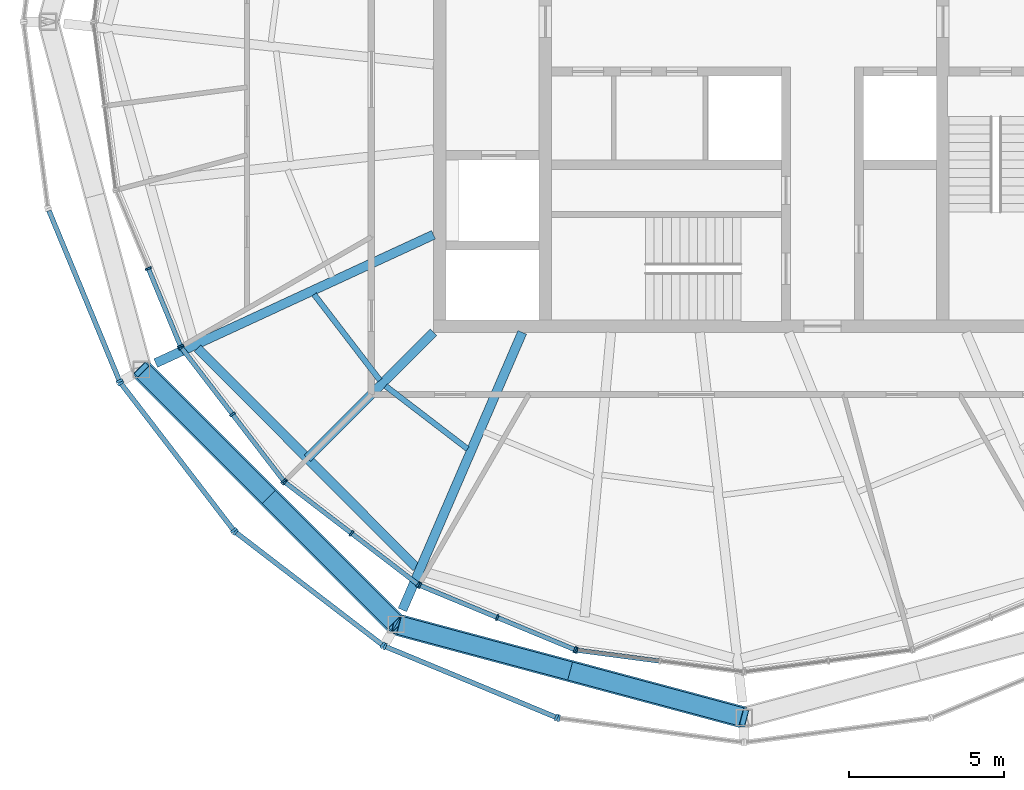
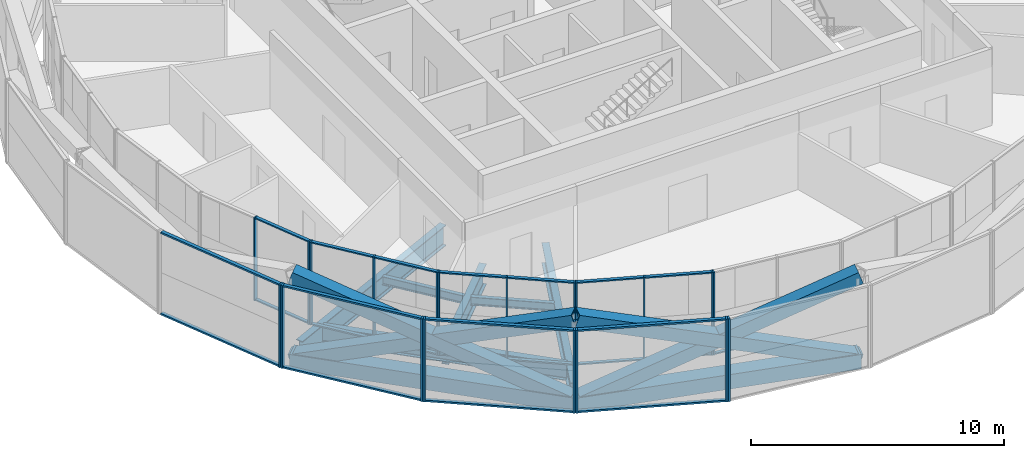
# One storey, part 2 of 17: 47 members, 8 beams, 10 elements without a shape of their own.
"""IFC4 building model written with IfcOpenShell, lengths in metres."""

import ifcopenshell
import ifcopenshell.guid

model = None  # the IFC model being written
_history = None  # IfcOwnerHistory: only IFC2X3 demands one
_inside = {}  # id of a spatial element -> (the spatial element, [elements in it])
_under = {}  # id of a project, library or spatial element -> (it, [spatial elements below it])
_declared = {}  # id of a project -> (the project, [libraries it declares])
_typed = {}  # id of a type object -> (the type object, [elements of that type])
_made_of = {}  # id of a material, layer set ... -> (it, [elements and type objects made of it])


def new_model(schema):
    """Start an empty IFC model of exactly this schema.

    Asked for "IFC4X3", IfcOpenShell would pick the latest addendum, in which some entities
    have other attributes; the version numbers below select the first issue.
    IFC2X3 requires an IfcOwnerHistory on every rooted entity: one is made here for all.
    """
    global model, _history
    if schema == "IFC4X3":
        model = ifcopenshell.file(schema_version=(4, 3, 0, 0))
    else:
        model = ifcopenshell.file(schema=schema)
    _inside.clear()
    _under.clear()
    _declared.clear()
    _typed.clear()
    _made_of.clear()
    _history = None
    if model.schema == "IFC2X3":
        org = make("IfcOrganization", Name="unknown")
        user = make(
            "IfcPersonAndOrganization",
            ThePerson=make("IfcPerson", FamilyName="unknown"),
            TheOrganization=org,
        )
        app = make(
            "IfcApplication",
            ApplicationDeveloper=org,
            Version="unknown",
            ApplicationFullName="unknown",
            ApplicationIdentifier="unknown",
        )
        _history = make(
            "IfcOwnerHistory",
            OwningUser=user,
            OwningApplication=app,
            ChangeAction="ADDED",
            CreationDate=0,
        )
    return model


def make(cls, **values):
    """One entity of the class cls with the attributes given. An attribute that is None is left unset."""
    return model.create_entity(
        cls, **{name: value for name, value in values.items() if value is not None}
    )


def rooted(cls, **values):
    """An entity with a GlobalId (a new one), such as an element, a storey or a relation."""
    return make(cls, GlobalId=ifcopenshell.guid.new(), OwnerHistory=_history, **values)


def si_unit(unit_type, name, prefix=None):
    """IfcSIUnit, for example si_unit("LENGTHUNIT", "METRE", prefix="MILLI")."""
    return make("IfcSIUnit", UnitType=unit_type, Prefix=prefix, Name=name)


def assignment(units):
    """IfcUnitAssignment: the units of a project."""
    return None if units is None else make("IfcUnitAssignment", Units=units)


def point(xyz):
    """IfcCartesianPoint."""
    return None if xyz is None else make("IfcCartesianPoint", Coordinates=xyz)


def direction(xyz):
    """IfcDirection."""
    return None if xyz is None else make("IfcDirection", DirectionRatios=xyz)


def frame(location, z_axis=None, x_axis=None):
    """IfcAxis2Placement3D, a coordinate frame: its origin and axes. An axis left out is left unset."""
    return make(
        "IfcAxis2Placement3D",
        Location=point(location),
        Axis=direction(z_axis),
        RefDirection=direction(x_axis),
    )


def frame_2d(location, x_axis=None):
    """IfcAxis2Placement2D, a coordinate frame in the plane: its origin and x axis."""
    return make(
        "IfcAxis2Placement2D", Location=point(location), RefDirection=direction(x_axis)
    )


def origin():
    """The frame at (0, 0, 0) with its axes left unset."""
    return frame((0.0, 0.0, 0.0))


def origin_2d():
    """The frame at (0, 0) in the plane with its x axis left unset."""
    return frame_2d((0.0, 0.0))


def place(relative_to, where):
    """IfcLocalPlacement: puts the frame where relative to a parent placement (None: the world)."""
    return make(
        "IfcLocalPlacement", PlacementRelTo=relative_to, RelativePlacement=where
    )


def context(
    kind, dimensions, precision=None, world=None, true_north=None, identifier=None
):
    """IfcGeometricRepresentationContext, for example the 3D "Model" context."""
    return make(
        "IfcGeometricRepresentationContext",
        ContextIdentifier=identifier,
        ContextType=kind,
        CoordinateSpaceDimension=dimensions,
        Precision=precision,
        WorldCoordinateSystem=world,
        TrueNorth=true_north,
    )


def subcontext(parent, identifier, kind, view, scale=None):
    """IfcGeometricRepresentationSubContext, for example "Body" below "Model"."""
    return make(
        "IfcGeometricRepresentationSubContext",
        ContextIdentifier=identifier,
        ContextType=kind,
        ParentContext=parent,
        TargetScale=scale,
        TargetView=view,
    )


def project(units=None, contexts=None):
    """IfcProject with its units and contexts."""
    return rooted(
        "IfcProject",
        Name="project",
        RepresentationContexts=contexts,
        UnitsInContext=assignment(units),
    )


def spatial(cls, under=None, at=None, **own):
    """A site, building, storey or space (cls), placed at a placement, below another one or the project."""
    s = rooted(cls, ObjectPlacement=at, **own)
    if under is not None:
        _under.setdefault(under.id(), (under, []))[1].append(s)
    return s


def profile(cls, at=None, kind="AREA", **sizes):
    """A parametric profile (cls). Its sizes go by their IFC names, for example OverallWidth=200.0."""
    return make(cls, ProfileType=kind, Position=at, **sizes)


def rectangle(**sizes):
    """IfcRectangleProfileDef."""
    return profile("IfcRectangleProfileDef", **sizes)


def hollow_rectangle(**sizes):
    """IfcRectangleHollowProfileDef."""
    return profile("IfcRectangleHollowProfileDef", **sizes)


def i_section(**sizes):
    """IfcIShapeProfileDef."""
    return profile("IfcIShapeProfileDef", **sizes)


def extrude(swept, where, along, depth):
    """IfcExtrudedAreaSolid: the profile swept, set in the frame where, extruded along a direction by depth."""
    return make(
        "IfcExtrudedAreaSolid",
        SweptArea=swept,
        Position=where,
        ExtrudedDirection=direction(along),
        Depth=depth,
    )


def shape(context_of_items, identifier, shape_type, items):
    """IfcShapeRepresentation: the items that make up one representation, for example the "Body"."""
    return make(
        "IfcShapeRepresentation",
        ContextOfItems=context_of_items,
        RepresentationIdentifier=identifier,
        RepresentationType=shape_type,
        Items=items,
    )


def material(Name=None, Category=None):
    """IfcMaterial."""
    return make("IfcMaterial", Name=Name, Category=Category)


def material_profile(
    of_material, cross_section, Name=None, Category=None, Priority=None
):
    """IfcMaterialProfile: a cross section and its material."""
    return make(
        "IfcMaterialProfile",
        Name=Name,
        Material=of_material,
        Profile=cross_section,
        Priority=Priority,
        Category=Category,
    )


def profile_set(profiles, Name=None, composite=None):
    """IfcMaterialProfileSet."""
    return make(
        "IfcMaterialProfileSet",
        Name=Name,
        MaterialProfiles=profiles,
        CompositeProfile=composite,
    )


def made_of(thing, what):
    """Note that an element or type object is made of a material, layer set ...; save() writes the relation."""
    if what is not None:
        _made_of.setdefault(what.id(), (what, []))[1].append(thing)
    return thing


def type_object(cls, material=None, **own):
    """A type object (cls), such as IfcWallType, which elements share."""
    return made_of(rooted(cls, **own), material)


def element(
    cls,
    number,
    at=None,
    inside=None,
    cuts=None,
    type_object=None,
    material=None,
    context=None,
    identifier="Body",
    shape_type=None,
    held_by="IfcProductDefinitionShape",
    body=None,
    shapes=None,
    **own,
):
    """One element of the class cls, such as IfcWall. Its Tag is "e" and its number.

    at: its placement. inside: the storey or other place that contains it. cuts: it is an
    opening in that element (IfcRelVoidsElement). A single representation is given by context,
    identifier, shape_type and body (its items); several are given by shapes. held_by: the class
    of the entity that holds the representations. save() writes the other relations.
    """
    e = rooted(cls, Tag="e%d" % number, ObjectPlacement=at, **own)
    if body is not None:
        shapes = [shape(context, identifier, shape_type, body)]
    if shapes is not None:
        e.Representation = make(held_by, Representations=shapes)
    if inside is not None:
        _inside.setdefault(inside.id(), (inside, []))[1].append(e)
    if cuts is not None:
        rooted(
            "IfcRelVoidsElement", RelatingBuildingElement=cuts, RelatedOpeningElement=e
        )
    if type_object is not None:
        _typed.setdefault(type_object.id(), (type_object, []))[1].append(e)
    return made_of(e, material)


def aggregate(whole, parts):
    """IfcRelAggregates: a whole, such as a stair, and the parts it consists of."""
    return rooted("IfcRelAggregates", RelatingObject=whole, RelatedObjects=parts)


def save(model, path):
    """Write the relations noted so far, then the file.

    IfcRelAggregates (storeys below a building ...), IfcRelContainedInSpatialStructure (elements
    in a storey), IfcRelDefinesByType, IfcRelAssociatesMaterial and IfcRelDeclares: one each for
    every whole, place, type object, material and project.
    """
    for whole, parts in _under.values():
        aggregate(whole, parts)
    for where, things in _inside.values():
        rooted(
            "IfcRelContainedInSpatialStructure",
            RelatedElements=things,
            RelatingStructure=where,
        )
    for kind, things in _typed.values():
        rooted("IfcRelDefinesByType", RelatedObjects=things, RelatingType=kind)
    for what, things in _made_of.values():
        rooted("IfcRelAssociatesMaterial", RelatedObjects=things, RelatingMaterial=what)
    for by, libraries in _declared.values():
        rooted("IfcRelDeclares", RelatingContext=by, RelatedDefinitions=libraries)
    model.write(path)


model = new_model("IFC4")

# Units and contexts
model_context = context("Model", 3, precision=1e-05, world=origin(), true_north=direction((0.0, 1.0)))
body_context = subcontext(model_context, "Body", "Model", "MODEL_VIEW")
ifc_project = project(units=[si_unit("LENGTHUNIT", "METRE"), si_unit("AREAUNIT", "SQUARE_METRE"), si_unit("VOLUMEUNIT", "CUBIC_METRE"), si_unit("PLANEANGLEUNIT", "RADIAN"), si_unit("MASSUNIT", "GRAM", prefix="KILO")], contexts=[model_context])

# Site, building, storey
site_placement = place(None, origin())
site = spatial("IfcSite", under=ifc_project, at=site_placement, CompositionType="ELEMENT")
building_placement = place(site_placement, origin())
building = spatial("IfcBuilding", under=site, at=building_placement, Name="Golbaran Civic Tower", CompositionType="ELEMENT")
storey_placement = place(building_placement, frame((0.0, 0.0, 280.0)))
storey = spatial("IfcBuildingStorey", under=building, at=storey_placement, Name="L68", CompositionType="ELEMENT", Elevation=280.0)

# Members
ifc_material_1 = material(Name="Steel S355", Category="steel")
ifc_material_profile_1 = material_profile(ifc_material_1, hollow_rectangle(XDim=0.60009765625, YDim=0.60009765625, WallThickness=0.050048828125, at=origin_2d()), Name="BOX 600x600x50")
ifc_profile_set_1 = profile_set([ifc_material_profile_1], Name="Steel S355")
member_type_1 = type_object("IfcMemberType", Name="CROWN FRAME LOWER BRACE BOX 600x600x50", PredefinedType="BRACE", material=ifc_profile_set_1)
for number, where, z_axis, x_axis, name in (
    (1, (-19.39892578125, -11.199951171875, -0.7099609375), (0.668449627768, -0.668449627768, 0.326113768911), (0.707106781187, 0.707106781187, 0.0), "Crown frame lower brace 8A"),
    (2, (-11.199951171875, -19.39892578125, -0.7099609375), (-0.668449627768, 0.668449627768, 0.326113768911), (-0.707106781187, -0.707106781187, 0.0), "Crown frame lower brace 8B"),
    (3, (-11.199951171875, -19.39892578125, -0.7099609375), (0.913119435827, -0.244666247524, 0.326115505975), (0.258815721085, 0.965926716951, 0.0), "Crown frame lower brace 9A"),
    (4, (0.0, -22.39990234375, -0.7099609375), (-0.913119435827, 0.244666247524, 0.326115505975), (-0.258815721085, -0.965926716951, 0.0), "Crown frame lower brace 9B"),
):
    element("IfcMember", number, at=place(storey_placement, frame(where, z_axis=z_axis, x_axis=x_axis)), inside=storey, type_object=member_type_1, Name=name, PredefinedType="BRACE", context=body_context, shape_type="SweptSolid", body=[
        extrude(hollow_rectangle(XDim=0.60009765625, YDim=0.60009765625, WallThickness=0.050048828125, at=origin_2d()), origin(), (0.0, 0.0, 1.0), 12.265625),
    ])

# Beams
ifc_material_profile_2 = material_profile(ifc_material_1, hollow_rectangle(XDim=0.699951171875, YDim=0.699951171875, WallThickness=0.080078125, at=origin_2d()), Name="BOX 700x700x80")
ifc_profile_set_2 = profile_set([ifc_material_profile_2], Name="Steel S355")
beam_type_1 = type_object("IfcBeamType", Name="DIAGRID RING TIE BOX 700x700x80", PredefinedType="BEAM", material=ifc_profile_set_2)
beam_1_placement = place(storey_placement, frame((-19.39892578125, -11.199951171875, -0.7099609375), z_axis=(0.707106781187, -0.707106781187, 0.0), x_axis=(0.707106781187, 0.707106781187, 0.0)))
element("IfcBeam", 5, at=beam_1_placement, inside=storey, type_object=beam_type_1, Name="Ring tie 210.00 L68", PredefinedType="BEAM", context=body_context, shape_type="SweptSolid", body=[
    extrude(hollow_rectangle(XDim=0.699951171875, YDim=0.699951171875, WallThickness=0.080078125, at=origin_2d()), origin(), (0.0, 0.0, 1.0), 11.59521484375),
])
beam_2_placement = place(storey_placement, frame((-11.199951171875, -19.39892578125, -0.7099609375), z_axis=(0.965926716951, -0.258815721085, 0.0), x_axis=(0.258815721085, 0.965926716951, 0.0)))
element("IfcBeam", 6, at=beam_2_placement, inside=storey, type_object=beam_type_1, Name="Ring tie 240.00 L68", PredefinedType="BEAM", context=body_context, shape_type="SweptSolid", body=[
    extrude(hollow_rectangle(XDim=0.699951171875, YDim=0.699951171875, WallThickness=0.080078125, at=origin_2d()), origin(), (0.0, 0.0, 1.0), 11.594970703125),
])
ifc_material_profile_3 = material_profile(ifc_material_1, i_section(OverallWidth=0.300048828125, OverallDepth=0.800048828125, WebThickness=0.017578125, FlangeThickness=0.032958984375, FilletRadius=0.030029296875, at=origin_2d()), Name="HEB 800")
ifc_profile_set_3 = profile_set([ifc_material_profile_3], Name="Steel S355")
beam_type_2 = type_object("IfcBeamType", Name="EDGE BEAM HEB 800", PredefinedType="BEAM", material=ifc_profile_set_3)
beam_3_placement = place(storey_placement, frame((-17.593994140625, -10.50927734375, -0.60009765625), z_axis=(0.706273825307, -0.707938757017, 0.0), x_axis=(0.707938757017, 0.706273825307, 0.0)))
element("IfcBeam", 7, at=beam_3_placement, inside=storey, type_object=beam_type_2, Name="Edge beam 210.00 L68", PredefinedType="BEAM", context=body_context, shape_type="SweptSolid", body=[
    extrude(i_section(OverallWidth=0.300048828125, OverallDepth=0.800048828125, WebThickness=0.017578125, FlangeThickness=0.032958984375, FilletRadius=0.030029296875, at=origin_2d()), origin(), (0.0, 0.0, 1.0), 9.971435546875),
])
ifc_material_profile_4 = material_profile(ifc_material_1, i_section(OverallWidth=0.179931640625, OverallDepth=0.39990234375, WebThickness=0.008544921875, FlangeThickness=0.013427734375, FilletRadius=0.02099609375, at=origin_2d()), Name="IPE 400")
ifc_profile_set_4 = profile_set([ifc_material_profile_4], Name="Steel S355")
beam_type_3 = type_object("IfcBeamType", Name="FLOOR INFILL BEAM IPE 400", PredefinedType="BEAM", material=ifc_profile_set_4)
beam_4_placement = place(storey_placement, frame((-13.843505859375, -8.7763671875, -0.39990234375), z_axis=(0.608734654071, -0.793373884705, 0.0), x_axis=(0.793373884705, 0.608734654071, 0.0)))
element("IfcBeam", 8, at=beam_4_placement, inside=storey, type_object=beam_type_3, Name="Infill beam 217.50 L68", PredefinedType="BEAM", context=body_context, shape_type="SweptSolid", body=[
    extrude(i_section(OverallWidth=0.179931640625, OverallDepth=0.39990234375, WebThickness=0.008544921875, FlangeThickness=0.013427734375, FilletRadius=0.02099609375, at=origin_2d()), origin(), (0.0, 0.0, 1.0), 3.48291015625),
])
beam_5_placement = place(storey_placement, frame((-11.541748046875, -11.7255859375, -0.39990234375), z_axis=(0.793371165585, -0.60873819793, 0.0), x_axis=(0.60873819793, 0.793371165585, 0.0)))
element("IfcBeam", 9, at=beam_5_placement, inside=storey, type_object=beam_type_3, Name="Infill beam 232.50 L68", PredefinedType="BEAM", context=body_context, shape_type="SweptSolid", body=[
    extrude(i_section(OverallWidth=0.179931640625, OverallDepth=0.39990234375, WebThickness=0.008544921875, FlangeThickness=0.013427734375, FilletRadius=0.02099609375, at=origin_2d()), origin(), (0.0, 0.0, 1.0), 3.32568359375),
])

# Curtain wall, members
ifc_material_2 = material(Name="Aluminium and glass", Category="aluminium")
curtain_wall_type_1 = type_object("IfcCurtainWallType", Name="INNER SKIN CURTAIN WALL EXECUTIVE", PredefinedType="NOTDEFINED", material=ifc_material_2)
curtain_wall_1_placement = place(storey_placement, origin())
curtain_wall_1 = element("IfcCurtainWall", 10, at=curtain_wall_1_placement, inside=storey, type_object=curtain_wall_type_1, Name="Inner skin L68 facet 14 CW2", ObjectType="INNER SKIN", PredefinedType="USERDEFINED")
ifc_material_3 = material(Name="Aluminium", Category="aluminium")
ifc_material_profile_5 = material_profile(ifc_material_3, rectangle(XDim=0.199951171875, YDim=0.06005859375, at=origin_2d()), Name="INNER SKIN CURTAIN WALL EXECUTIVE MULLION")
ifc_profile_set_5 = profile_set([ifc_material_profile_5], Name="Aluminium")
member_type_2 = type_object("IfcMemberType", Name="INNER SKIN CURTAIN WALL EXECUTIVE MULLION", PredefinedType="MULLION", material=ifc_profile_set_5)
member_1_placement = place(storey_placement, frame((-19.177734375, -7.943603515625, 0.0), z_axis=(0.0, 0.0, 1.0), x_axis=(0.923879532518, 0.382683432349, 0.0)))
member_1 = element("IfcMember", 11, at=member_1_placement, type_object=member_type_2, Name="CW2 mullion 2", PredefinedType="MULLION", context=body_context, shape_type="SweptSolid", body=[
    extrude(rectangle(XDim=0.199951171875, YDim=0.06005859375, at=origin_2d()), origin(), (0.0, 0.0, 1.0), 4.0),
])
member_2_placement = place(storey_placement, frame((-18.1435546875, -10.440673828125, 0.0), z_axis=(0.0, 0.0, 1.0), x_axis=(0.923879532518, 0.382683432349, 0.0)))
member_2 = element("IfcMember", 12, at=member_2_placement, type_object=member_type_2, Name="CW2 mullion 3", PredefinedType="MULLION", context=body_context, shape_type="SweptSolid", body=[
    extrude(rectangle(XDim=0.199951171875, YDim=0.06005859375, at=origin_2d()), origin(), (0.0, 0.0, 1.0), 4.0),
])

curtain_wall_2_placement = place(storey_placement, origin())
curtain_wall_2 = element("IfcCurtainWall", 13, at=curtain_wall_2_placement, inside=storey, type_object=curtain_wall_type_1, Name="Inner skin L68 facet 15 CW2", ObjectType="INNER SKIN", PredefinedType="USERDEFINED")
member_3_placement = place(storey_placement, frame((-18.11376953125, -10.4921875, 0.0), z_axis=(0.0, 0.0, 1.0), x_axis=(0.793353340344, 0.608761428939, 0.0)))
member_3 = element("IfcMember", 14, at=member_3_placement, type_object=member_type_2, Name="CW2 mullion 1", PredefinedType="MULLION", context=body_context, shape_type="SweptSolid", body=[
    extrude(rectangle(XDim=0.199951171875, YDim=0.06005859375, at=origin_2d()), origin(), (0.0, 0.0, 1.0), 4.0),
])
member_4_placement = place(storey_placement, frame((-16.46826171875, -12.63671875, 0.0), z_axis=(0.0, 0.0, 1.0), x_axis=(0.793353340344, 0.608761428939, 0.0)))
member_4 = element("IfcMember", 15, at=member_4_placement, type_object=member_type_2, Name="CW2 mullion 2", PredefinedType="MULLION", context=body_context, shape_type="SweptSolid", body=[
    extrude(rectangle(XDim=0.199951171875, YDim=0.06005859375, at=origin_2d()), origin(), (0.0, 0.0, 1.0), 4.0),
])
member_5_placement = place(storey_placement, frame((-14.822998046875, -14.781005859375, 0.0), z_axis=(0.0, 0.0, 1.0), x_axis=(0.793353340344, 0.608761428939, 0.0)))
member_5 = element("IfcMember", 16, at=member_5_placement, type_object=member_type_2, Name="CW2 mullion 3", PredefinedType="MULLION", context=body_context, shape_type="SweptSolid", body=[
    extrude(rectangle(XDim=0.199951171875, YDim=0.06005859375, at=origin_2d()), origin(), (0.0, 0.0, 1.0), 4.0),
])

curtain_wall_3_placement = place(storey_placement, origin())
curtain_wall_3 = element("IfcCurtainWall", 17, at=curtain_wall_3_placement, inside=storey, type_object=curtain_wall_type_1, Name="Inner skin L68 facet 16 CW2", ObjectType="INNER SKIN", PredefinedType="USERDEFINED")
member_6_placement = place(storey_placement, frame((-14.781005859375, -14.822998046875, 0.0), z_axis=(0.0, 0.0, 1.0), x_axis=(0.608761428939, 0.793353340344, 0.0)))
member_6 = element("IfcMember", 18, at=member_6_placement, type_object=member_type_2, Name="CW2 mullion 1", PredefinedType="MULLION", context=body_context, shape_type="SweptSolid", body=[
    extrude(rectangle(XDim=0.199951171875, YDim=0.06005859375, at=origin_2d()), origin(), (0.0, 0.0, 1.0), 4.0),
])
member_7_placement = place(storey_placement, frame((-12.63671875, -16.46826171875, 0.0), z_axis=(0.0, 0.0, 1.0), x_axis=(0.608761428939, 0.793353340344, 0.0)))
member_7 = element("IfcMember", 19, at=member_7_placement, type_object=member_type_2, Name="CW2 mullion 2", PredefinedType="MULLION", context=body_context, shape_type="SweptSolid", body=[
    extrude(rectangle(XDim=0.199951171875, YDim=0.06005859375, at=origin_2d()), origin(), (0.0, 0.0, 1.0), 4.0),
])
member_8_placement = place(storey_placement, frame((-10.4921875, -18.11376953125, 0.0), z_axis=(0.0, 0.0, 1.0), x_axis=(0.608761428939, 0.793353340344, 0.0)))
member_8 = element("IfcMember", 20, at=member_8_placement, type_object=member_type_2, Name="CW2 mullion 3", PredefinedType="MULLION", context=body_context, shape_type="SweptSolid", body=[
    extrude(rectangle(XDim=0.199951171875, YDim=0.06005859375, at=origin_2d()), origin(), (0.0, 0.0, 1.0), 4.0),
])

curtain_wall_4_placement = place(storey_placement, origin())
curtain_wall_4 = element("IfcCurtainWall", 21, at=curtain_wall_4_placement, inside=storey, type_object=curtain_wall_type_1, Name="Inner skin L68 facet 17 CW2", ObjectType="INNER SKIN", PredefinedType="USERDEFINED")
member_9_placement = place(storey_placement, frame((-10.440673828125, -18.1435546875, 0.0), z_axis=(0.0, 0.0, 1.0), x_axis=(0.382683432349, 0.923879532518, 0.0)))
member_9 = element("IfcMember", 22, at=member_9_placement, type_object=member_type_2, Name="CW2 mullion 1", PredefinedType="MULLION", context=body_context, shape_type="SweptSolid", body=[
    extrude(rectangle(XDim=0.199951171875, YDim=0.06005859375, at=origin_2d()), origin(), (0.0, 0.0, 1.0), 4.0),
])
member_10_placement = place(storey_placement, frame((-7.943603515625, -19.177734375, 0.0), z_axis=(0.0, 0.0, 1.0), x_axis=(0.382683432349, 0.923879532518, 0.0)))
member_10 = element("IfcMember", 23, at=member_10_placement, type_object=member_type_2, Name="CW2 mullion 2", PredefinedType="MULLION", context=body_context, shape_type="SweptSolid", body=[
    extrude(rectangle(XDim=0.199951171875, YDim=0.06005859375, at=origin_2d()), origin(), (0.0, 0.0, 1.0), 4.0),
])
member_11_placement = place(storey_placement, frame((-5.446533203125, -20.212158203125, 0.0), z_axis=(0.0, 0.0, 1.0), x_axis=(0.382683432349, 0.923879532518, 0.0)))
member_11 = element("IfcMember", 24, at=member_11_placement, type_object=member_type_2, Name="CW2 mullion 3", PredefinedType="MULLION", context=body_context, shape_type="SweptSolid", body=[
    extrude(rectangle(XDim=0.199951171875, YDim=0.06005859375, at=origin_2d()), origin(), (0.0, 0.0, 1.0), 4.0),
])

# Curtain wall, member
curtain_wall_5_placement = place(storey_placement, origin())
curtain_wall_5 = element("IfcCurtainWall", 25, at=curtain_wall_5_placement, inside=storey, type_object=curtain_wall_type_1, Name="Inner skin L68 facet 18 CW2", ObjectType="INNER SKIN", PredefinedType="USERDEFINED")
member_12_placement = place(storey_placement, frame((-5.38916015625, -20.2275390625, 0.0), z_axis=(0.0, 0.0, 1.0), x_axis=(0.130526192237, 0.991444861372, 0.0)))
member_12 = element("IfcMember", 26, at=member_12_placement, type_object=member_type_2, Name="CW2 mullion 1", PredefinedType="MULLION", context=body_context, shape_type="SweptSolid", body=[
    extrude(rectangle(XDim=0.199951171875, YDim=0.06005859375, at=origin_2d()), origin(), (0.0, 0.0, 1.0), 4.0),
])

# Member
ifc_material_profile_6 = material_profile(ifc_material_3, rectangle(XDim=0.14990234375, YDim=0.06005859375, at=origin_2d()), Name="INNER SKIN CURTAIN WALL EXECUTIVE TRANSOM")
ifc_profile_set_6 = profile_set([ifc_material_profile_6], Name="Aluminium")
member_type_3 = type_object("IfcMemberType", Name="INNER SKIN CURTAIN WALL EXECUTIVE TRANSOM", PredefinedType="USERDEFINED", material=ifc_profile_set_6)
member_13_placement = place(storey_placement, frame((-19.166259765625, -7.971435546875, 0.030029296875), z_axis=(0.382640076339, -0.923897489973, 0.0), x_axis=(0.923897489973, 0.382640076339, 0.0)))
member_13 = element("IfcMember", 27, at=member_13_placement, type_object=member_type_3, Name="CW2 transom 2.1", ObjectType="TRANSOM", PredefinedType="USERDEFINED", context=body_context, shape_type="SweptSolid", body=[
    extrude(rectangle(XDim=0.14990234375, YDim=0.06005859375, at=origin_2d()), origin(), (0.0, 0.0, 1.0), 2.642822265625),
])

member_14_placement = place(storey_placement, frame((-19.166259765625, -7.971435546875, 3.969970703125), z_axis=(0.382640076339, -0.923897489973, 0.0), x_axis=(0.923897489973, 0.382640076339, 0.0)))
member_14 = element("IfcMember", 28, at=member_14_placement, type_object=member_type_3, Name="CW2 transom 2.2", ObjectType="TRANSOM", PredefinedType="USERDEFINED", context=body_context, shape_type="SweptSolid", body=[
    extrude(rectangle(XDim=0.14990234375, YDim=0.06005859375, at=origin_2d()), origin(), (0.0, 0.0, 1.0), 2.642822265625),
])

aggregate(curtain_wall_1, [member_1, member_2, member_13, member_14])

member_15_placement = place(storey_placement, frame((-18.095458984375, -10.51611328125, 0.030029296875), z_axis=(0.608772815079, -0.793344603323, 0.0), x_axis=(0.793344603323, 0.608772815079, 0.0)))
member_15 = element("IfcMember", 29, at=member_15_placement, type_object=member_type_3, Name="CW2 transom 1.1", ObjectType="TRANSOM", PredefinedType="USERDEFINED", context=body_context, shape_type="SweptSolid", body=[
    extrude(rectangle(XDim=0.14990234375, YDim=0.06005859375, at=origin_2d()), origin(), (0.0, 0.0, 1.0), 2.642822265625),
])

member_16_placement = place(storey_placement, frame((-18.095458984375, -10.51611328125, 3.969970703125), z_axis=(0.608772815079, -0.793344603323, 0.0), x_axis=(0.793344603323, 0.608772815079, 0.0)))
member_16 = element("IfcMember", 30, at=member_16_placement, type_object=member_type_3, Name="CW2 transom 1.2", ObjectType="TRANSOM", PredefinedType="USERDEFINED", context=body_context, shape_type="SweptSolid", body=[
    extrude(rectangle(XDim=0.14990234375, YDim=0.06005859375, at=origin_2d()), origin(), (0.0, 0.0, 1.0), 2.642822265625),
])

member_17_placement = place(storey_placement, frame((-16.449951171875, -12.660400390625, 0.030029296875), z_axis=(0.60871466769, -0.793389219324, 0.0), x_axis=(0.793389219324, 0.60871466769, 0.0)))
member_17 = element("IfcMember", 31, at=member_17_placement, type_object=member_type_3, Name="CW2 transom 2.1", ObjectType="TRANSOM", PredefinedType="USERDEFINED", context=body_context, shape_type="SweptSolid", body=[
    extrude(rectangle(XDim=0.14990234375, YDim=0.06005859375, at=origin_2d()), origin(), (0.0, 0.0, 1.0), 2.642578125),
])

member_18_placement = place(storey_placement, frame((-16.449951171875, -12.660400390625, 3.969970703125), z_axis=(0.60871466769, -0.793389219324, 0.0), x_axis=(0.793389219324, 0.60871466769, 0.0)))
member_18 = element("IfcMember", 32, at=member_18_placement, type_object=member_type_3, Name="CW2 transom 2.2", ObjectType="TRANSOM", PredefinedType="USERDEFINED", context=body_context, shape_type="SweptSolid", body=[
    extrude(rectangle(XDim=0.14990234375, YDim=0.06005859375, at=origin_2d()), origin(), (0.0, 0.0, 1.0), 2.642578125),
])

aggregate(curtain_wall_2, [member_3, member_4, member_5, member_15, member_16, member_17, member_18])

member_19_placement = place(storey_placement, frame((-14.757080078125, -14.84130859375, 0.030029296875), z_axis=(0.793389219324, -0.60871466769, 0.0), x_axis=(0.60871466769, 0.793389219324, 0.0)))
member_19 = element("IfcMember", 33, at=member_19_placement, type_object=member_type_3, Name="CW2 transom 1.1", ObjectType="TRANSOM", PredefinedType="USERDEFINED", context=body_context, shape_type="SweptSolid", body=[
    extrude(rectangle(XDim=0.14990234375, YDim=0.06005859375, at=origin_2d()), origin(), (0.0, 0.0, 1.0), 2.642578125),
])

member_20_placement = place(storey_placement, frame((-14.757080078125, -14.84130859375, 3.969970703125), z_axis=(0.793389219324, -0.60871466769, 0.0), x_axis=(0.60871466769, 0.793389219324, 0.0)))
member_20 = element("IfcMember", 34, at=member_20_placement, type_object=member_type_3, Name="CW2 transom 1.2", ObjectType="TRANSOM", PredefinedType="USERDEFINED", context=body_context, shape_type="SweptSolid", body=[
    extrude(rectangle(XDim=0.14990234375, YDim=0.06005859375, at=origin_2d()), origin(), (0.0, 0.0, 1.0), 2.642578125),
])

member_21_placement = place(storey_placement, frame((-12.61279296875, -16.486572265625, 0.030029296875), z_axis=(0.793344603323, -0.608772815079, 0.0), x_axis=(0.608772815079, 0.793344603323, 0.0)))
member_21 = element("IfcMember", 35, at=member_21_placement, type_object=member_type_3, Name="CW2 transom 2.1", ObjectType="TRANSOM", PredefinedType="USERDEFINED", context=body_context, shape_type="SweptSolid", body=[
    extrude(rectangle(XDim=0.14990234375, YDim=0.06005859375, at=origin_2d()), origin(), (0.0, 0.0, 1.0), 2.642822265625),
])

member_22_placement = place(storey_placement, frame((-12.61279296875, -16.486572265625, 3.969970703125), z_axis=(0.793344603323, -0.608772815079, 0.0), x_axis=(0.608772815079, 0.793344603323, 0.0)))
member_22 = element("IfcMember", 36, at=member_22_placement, type_object=member_type_3, Name="CW2 transom 2.2", ObjectType="TRANSOM", PredefinedType="USERDEFINED", context=body_context, shape_type="SweptSolid", body=[
    extrude(rectangle(XDim=0.14990234375, YDim=0.06005859375, at=origin_2d()), origin(), (0.0, 0.0, 1.0), 2.642822265625),
])

aggregate(curtain_wall_3, [member_6, member_7, member_8, member_19, member_20, member_21, member_22])

member_23_placement = place(storey_placement, frame((-10.4130859375, -18.155029296875, 0.030029296875), z_axis=(0.923897489973, -0.382640076339, 0.0), x_axis=(0.382640076339, 0.923897489973, 0.0)))
member_23 = element("IfcMember", 37, at=member_23_placement, type_object=member_type_3, Name="CW2 transom 1.1", ObjectType="TRANSOM", PredefinedType="USERDEFINED", context=body_context, shape_type="SweptSolid", body=[
    extrude(rectangle(XDim=0.14990234375, YDim=0.06005859375, at=origin_2d()), origin(), (0.0, 0.0, 1.0), 2.642822265625),
])

member_24_placement = place(storey_placement, frame((-10.4130859375, -18.155029296875, 3.969970703125), z_axis=(0.923897489973, -0.382640076339, 0.0), x_axis=(0.382640076339, 0.923897489973, 0.0)))
member_24 = element("IfcMember", 38, at=member_24_placement, type_object=member_type_3, Name="CW2 transom 1.2", ObjectType="TRANSOM", PredefinedType="USERDEFINED", context=body_context, shape_type="SweptSolid", body=[
    extrude(rectangle(XDim=0.14990234375, YDim=0.06005859375, at=origin_2d()), origin(), (0.0, 0.0, 1.0), 2.642822265625),
])

member_25_placement = place(storey_placement, frame((-7.916015625, -19.189208984375, 0.030029296875), z_axis=(0.923864829386, -0.382718926922, 0.0), x_axis=(0.382718926922, 0.923864829386, 0.0)))
member_25 = element("IfcMember", 39, at=member_25_placement, type_object=member_type_3, Name="CW2 transom 2.1", ObjectType="TRANSOM", PredefinedType="USERDEFINED", context=body_context, shape_type="SweptSolid", body=[
    extrude(rectangle(XDim=0.14990234375, YDim=0.06005859375, at=origin_2d()), origin(), (0.0, 0.0, 1.0), 2.642822265625),
])

member_26_placement = place(storey_placement, frame((-7.916015625, -19.189208984375, 3.969970703125), z_axis=(0.923864829386, -0.382718926922, 0.0), x_axis=(0.382718926922, 0.923864829386, 0.0)))
member_26 = element("IfcMember", 40, at=member_26_placement, type_object=member_type_3, Name="CW2 transom 2.2", ObjectType="TRANSOM", PredefinedType="USERDEFINED", context=body_context, shape_type="SweptSolid", body=[
    extrude(rectangle(XDim=0.14990234375, YDim=0.06005859375, at=origin_2d()), origin(), (0.0, 0.0, 1.0), 2.642822265625),
])

aggregate(curtain_wall_4, [member_9, member_10, member_11, member_23, member_24, member_25, member_26])

member_27_placement = place(storey_placement, frame((-5.359375, -20.2314453125, 0.030029296875), z_axis=(0.991443601308, -0.130535763012, 0.0), x_axis=(0.130535763012, 0.991443601308, 0.0)))
member_27 = element("IfcMember", 41, at=member_27_placement, type_object=member_type_3, Name="CW2 transom 1.1", ObjectType="TRANSOM", PredefinedType="USERDEFINED", context=body_context, shape_type="SweptSolid", body=[
    extrude(rectangle(XDim=0.14990234375, YDim=0.06005859375, at=origin_2d()), origin(), (0.0, 0.0, 1.0), 2.642822265625),
])

aggregate(curtain_wall_5, [member_12, member_27])

# Curtain wall, member
curtain_wall_type_2 = type_object("IfcCurtainWallType", Name="OUTER SKIN TERRACOTTA SCREEN", PredefinedType="NOTDEFINED", material=ifc_material_2)
curtain_wall_6_placement = place(storey_placement, origin())
curtain_wall_6 = element("IfcCurtainWall", 42, at=curtain_wall_6_placement, inside=storey, type_object=curtain_wall_type_2, Name="Outer skin L68 facet 14 CW3", ObjectType="OUTER SKIN", PredefinedType="USERDEFINED")
ifc_material_profile_7 = material_profile(ifc_material_3, rectangle(XDim=0.219970703125, YDim=0.080078125, at=origin_2d()), Name="OUTER SKIN TERRACOTTA SCREEN MULLION")
ifc_profile_set_7 = profile_set([ifc_material_profile_7], Name="Aluminium")
member_type_4 = type_object("IfcMemberType", Name="OUTER SKIN TERRACOTTA SCREEN MULLION", PredefinedType="MULLION", material=ifc_profile_set_7)
member_28_placement = place(storey_placement, frame((-20.107177734375, -11.56298828125, -0.7099609375), z_axis=(0.0, 0.0, 1.0), x_axis=(0.923879532525, 0.382683432333, 0.0)))
member_28 = element("IfcMember", 43, at=member_28_placement, type_object=member_type_4, Name="CW3 mullion 2", PredefinedType="MULLION", context=body_context, shape_type="SweptSolid", body=[
    extrude(rectangle(XDim=0.219970703125, YDim=0.080078125, at=origin_2d()), origin(), (0.0, 0.0, 1.0), 4.0),
])

# Curtain wall, members
curtain_wall_7_placement = place(storey_placement, origin())
curtain_wall_7 = element("IfcCurtainWall", 44, at=curtain_wall_7_placement, inside=storey, type_object=curtain_wall_type_2, Name="Outer skin L68 facet 15 CW3", ObjectType="OUTER SKIN", PredefinedType="USERDEFINED")
member_29_placement = place(storey_placement, frame((-20.0673828125, -11.6318359375, -0.7099609375), z_axis=(0.0, 0.0, 1.0), x_axis=(0.793353340344, 0.608761428939, 0.0)))
member_29 = element("IfcMember", 45, at=member_29_placement, type_object=member_type_4, Name="CW3 mullion 1", PredefinedType="MULLION", context=body_context, shape_type="SweptSolid", body=[
    extrude(rectangle(XDim=0.219970703125, YDim=0.080078125, at=origin_2d()), origin(), (0.0, 0.0, 1.0), 4.0),
])
member_30_placement = place(storey_placement, frame((-16.42919921875, -16.373046875, -0.7099609375), z_axis=(0.0, 0.0, 1.0), x_axis=(0.793353340344, 0.608761428939, 0.0)))
member_30 = element("IfcMember", 46, at=member_30_placement, type_object=member_type_4, Name="CW3 mullion 2", PredefinedType="MULLION", context=body_context, shape_type="SweptSolid", body=[
    extrude(rectangle(XDim=0.219970703125, YDim=0.080078125, at=origin_2d()), origin(), (0.0, 0.0, 1.0), 4.0),
])

curtain_wall_8_placement = place(storey_placement, origin())
curtain_wall_8 = element("IfcCurtainWall", 47, at=curtain_wall_8_placement, inside=storey, type_object=curtain_wall_type_2, Name="Outer skin L68 facet 16 CW3", ObjectType="OUTER SKIN", PredefinedType="USERDEFINED")
member_31_placement = place(storey_placement, frame((-16.373046875, -16.42919921875, -0.7099609375), z_axis=(0.0, 0.0, 1.0), x_axis=(0.608761428939, 0.793353340344, 0.0)))
member_31 = element("IfcMember", 48, at=member_31_placement, type_object=member_type_4, Name="CW3 mullion 1", PredefinedType="MULLION", context=body_context, shape_type="SweptSolid", body=[
    extrude(rectangle(XDim=0.219970703125, YDim=0.080078125, at=origin_2d()), origin(), (0.0, 0.0, 1.0), 4.0),
])
member_32_placement = place(storey_placement, frame((-11.6318359375, -20.0673828125, -0.7099609375), z_axis=(0.0, 0.0, 1.0), x_axis=(0.608761428939, 0.793353340344, 0.0)))
member_32 = element("IfcMember", 49, at=member_32_placement, type_object=member_type_4, Name="CW3 mullion 2", PredefinedType="MULLION", context=body_context, shape_type="SweptSolid", body=[
    extrude(rectangle(XDim=0.219970703125, YDim=0.080078125, at=origin_2d()), origin(), (0.0, 0.0, 1.0), 4.0),
])

curtain_wall_9_placement = place(storey_placement, origin())
curtain_wall_9 = element("IfcCurtainWall", 50, at=curtain_wall_9_placement, inside=storey, type_object=curtain_wall_type_2, Name="Outer skin L68 facet 17 CW3", ObjectType="OUTER SKIN", PredefinedType="USERDEFINED")
member_33_placement = place(storey_placement, frame((-11.56298828125, -20.107177734375, -0.7099609375), z_axis=(0.0, 0.0, 1.0), x_axis=(0.382683432333, 0.923879532525, 0.0)))
member_33 = element("IfcMember", 51, at=member_33_placement, type_object=member_type_4, Name="CW3 mullion 1", PredefinedType="MULLION", context=body_context, shape_type="SweptSolid", body=[
    extrude(rectangle(XDim=0.219970703125, YDim=0.080078125, at=origin_2d()), origin(), (0.0, 0.0, 1.0), 4.0),
])
member_34_placement = place(storey_placement, frame((-6.04150390625, -22.394287109375, -0.7099609375), z_axis=(0.0, 0.0, 1.0), x_axis=(0.382683432333, 0.923879532525, 0.0)))
member_34 = element("IfcMember", 52, at=member_34_placement, type_object=member_type_4, Name="CW3 mullion 2", PredefinedType="MULLION", context=body_context, shape_type="SweptSolid", body=[
    extrude(rectangle(XDim=0.219970703125, YDim=0.080078125, at=origin_2d()), origin(), (0.0, 0.0, 1.0), 4.0),
])

# Curtain wall, member
curtain_wall_10_placement = place(storey_placement, origin())
curtain_wall_10 = element("IfcCurtainWall", 53, at=curtain_wall_10_placement, inside=storey, type_object=curtain_wall_type_2, Name="Outer skin L68 facet 18 CW3", ObjectType="OUTER SKIN", PredefinedType="USERDEFINED")
member_35_placement = place(storey_placement, frame((-5.96484375, -22.414794921875, -0.7099609375), z_axis=(0.0, 0.0, 1.0), x_axis=(0.13052619222, 0.991444861374, 0.0)))
member_35 = element("IfcMember", 54, at=member_35_placement, type_object=member_type_4, Name="CW3 mullion 1", PredefinedType="MULLION", context=body_context, shape_type="SweptSolid", body=[
    extrude(rectangle(XDim=0.219970703125, YDim=0.080078125, at=origin_2d()), origin(), (0.0, 0.0, 1.0), 4.0),
])
aggregate(curtain_wall_10, [member_35])

# Member
ifc_material_profile_8 = material_profile(ifc_material_3, rectangle(XDim=0.159912109375, YDim=0.080078125, at=origin_2d()), Name="OUTER SKIN TERRACOTTA SCREEN TRANSOM")
ifc_profile_set_8 = profile_set([ifc_material_profile_8], Name="Aluminium")
member_type_5 = type_object("IfcMemberType", Name="OUTER SKIN TERRACOTTA SCREEN TRANSOM", PredefinedType="USERDEFINED", material=ifc_profile_set_8)
member_36_placement = place(storey_placement, frame((-22.37890625, -6.07861328125, -0.669921875), z_axis=(0.382706502494, -0.923869976214, 0.0), x_axis=(0.923869976214, 0.382706502494, 0.0)))
member_36 = element("IfcMember", 55, at=member_36_placement, type_object=member_type_5, Name="CW3 transom 1.1", ObjectType="TRANSOM", PredefinedType="USERDEFINED", context=body_context, shape_type="SweptSolid", body=[
    extrude(rectangle(XDim=0.159912109375, YDim=0.080078125, at=origin_2d()), origin(), (0.0, 0.0, 1.0), 5.896484375),
])

member_37_placement = place(storey_placement, frame((-22.37890625, -6.07861328125, 3.25), z_axis=(0.382706502494, -0.923869976214, 0.0), x_axis=(0.923869976214, 0.382706502494, 0.0)))
member_37 = element("IfcMember", 56, at=member_37_placement, type_object=member_type_5, Name="CW3 transom 1.2", ObjectType="TRANSOM", PredefinedType="USERDEFINED", context=body_context, shape_type="SweptSolid", body=[
    extrude(rectangle(XDim=0.159912109375, YDim=0.080078125, at=origin_2d()), origin(), (0.0, 0.0, 1.0), 5.896484375),
])

aggregate(curtain_wall_6, [member_28, member_36, member_37])

member_38_placement = place(storey_placement, frame((-20.04296875, -11.66357421875, -0.669921875), z_axis=(0.608761817598, -0.793353042116, 0.0), x_axis=(0.793353042116, 0.608761817598, 0.0)))
member_38 = element("IfcMember", 57, at=member_38_placement, type_object=member_type_5, Name="CW3 transom 1.1", ObjectType="TRANSOM", PredefinedType="USERDEFINED", context=body_context, shape_type="SweptSolid", body=[
    extrude(rectangle(XDim=0.159912109375, YDim=0.080078125, at=origin_2d()), origin(), (0.0, 0.0, 1.0), 5.896240234375),
])

member_39_placement = place(storey_placement, frame((-20.04296875, -11.66357421875, 3.25), z_axis=(0.608761817598, -0.793353042116, 0.0), x_axis=(0.793353042116, 0.608761817598, 0.0)))
member_39 = element("IfcMember", 58, at=member_39_placement, type_object=member_type_5, Name="CW3 transom 1.2", ObjectType="TRANSOM", PredefinedType="USERDEFINED", context=body_context, shape_type="SweptSolid", body=[
    extrude(rectangle(XDim=0.159912109375, YDim=0.080078125, at=origin_2d()), origin(), (0.0, 0.0, 1.0), 5.896240234375),
])

aggregate(curtain_wall_7, [member_29, member_30, member_38, member_39])

member_40_placement = place(storey_placement, frame((-16.34130859375, -16.45361328125, -0.669921875), z_axis=(0.793353042116, -0.608761817598, 0.0), x_axis=(0.608761817598, 0.793353042116, 0.0)))
member_40 = element("IfcMember", 59, at=member_40_placement, type_object=member_type_5, Name="CW3 transom 1.1", ObjectType="TRANSOM", PredefinedType="USERDEFINED", context=body_context, shape_type="SweptSolid", body=[
    extrude(rectangle(XDim=0.159912109375, YDim=0.080078125, at=origin_2d()), origin(), (0.0, 0.0, 1.0), 5.896240234375),
])

member_41_placement = place(storey_placement, frame((-16.34130859375, -16.45361328125, 3.25), z_axis=(0.793353042116, -0.608761817598, 0.0), x_axis=(0.608761817598, 0.793353042116, 0.0)))
member_41 = element("IfcMember", 60, at=member_41_placement, type_object=member_type_5, Name="CW3 transom 1.2", ObjectType="TRANSOM", PredefinedType="USERDEFINED", context=body_context, shape_type="SweptSolid", body=[
    extrude(rectangle(XDim=0.159912109375, YDim=0.080078125, at=origin_2d()), origin(), (0.0, 0.0, 1.0), 5.896240234375),
])

aggregate(curtain_wall_8, [member_31, member_32, member_40, member_41])

member_42_placement = place(storey_placement, frame((-11.526123046875, -20.122314453125, -0.669921875), z_axis=(0.923869976214, -0.382706502494, 0.0), x_axis=(0.382706502494, 0.923869976214, 0.0)))
member_42 = element("IfcMember", 61, at=member_42_placement, type_object=member_type_5, Name="CW3 transom 1.1", ObjectType="TRANSOM", PredefinedType="USERDEFINED", context=body_context, shape_type="SweptSolid", body=[
    extrude(rectangle(XDim=0.159912109375, YDim=0.080078125, at=origin_2d()), origin(), (0.0, 0.0, 1.0), 5.896484375),
])

member_43_placement = place(storey_placement, frame((-11.526123046875, -20.122314453125, 3.25), z_axis=(0.923869976214, -0.382706502494, 0.0), x_axis=(0.382706502494, 0.923869976214, 0.0)))
member_43 = element("IfcMember", 62, at=member_43_placement, type_object=member_type_5, Name="CW3 transom 1.2", ObjectType="TRANSOM", PredefinedType="USERDEFINED", context=body_context, shape_type="SweptSolid", body=[
    extrude(rectangle(XDim=0.159912109375, YDim=0.080078125, at=origin_2d()), origin(), (0.0, 0.0, 1.0), 5.896484375),
])

aggregate(curtain_wall_9, [member_33, member_34, member_42, member_43])

# Beams
ifc_material_profile_9 = material_profile(ifc_material_1, i_section(OverallWidth=0.300048828125, OverallDepth=1.0, WebThickness=0.01904296875, FlangeThickness=0.035888671875, FilletRadius=0.030029296875, at=origin_2d()), Name="HEB 1000")
ifc_profile_set_9 = profile_set([ifc_material_profile_9], Name="Steel S355")
beam_type_4 = type_object("IfcBeamType", Name="RADIAL FLOOR BEAM HEB 1000", PredefinedType="BEAM", material=ifc_profile_set_9)
beam_6_placement = place(storey_placement, frame((-10.0, -6.857177734375, -0.7099609375), z_axis=(-0.907779382464, -0.419447961938, 0.0), x_axis=(0.419447961938, -0.907779382464, 0.0)))
element("IfcBeam", 63, at=beam_6_placement, inside=storey, type_object=beam_type_4, Name="Radial beam 210.00 L68", PredefinedType="BEAM", context=body_context, shape_type="SweptSolid", body=[
    extrude(i_section(OverallWidth=0.300048828125, OverallDepth=1.0, WebThickness=0.01904296875, FlangeThickness=0.035888671875, FilletRadius=0.030029296875, at=origin_2d()), origin(), (0.0, 0.0, 1.0), 9.849609375),
])
beam_7_placement = place(storey_placement, frame((-7.142822265625, -10.0, -0.7099609375), z_axis=(-0.396310096552, -0.918116717728, 0.0), x_axis=(0.918116717728, -0.396310096552, 0.0)))
element("IfcBeam", 64, at=beam_7_placement, inside=storey, type_object=beam_type_4, Name="Radial beam 240.00 L68", PredefinedType="BEAM", context=body_context, shape_type="SweptSolid", body=[
    extrude(i_section(OverallWidth=0.300048828125, OverallDepth=1.0, WebThickness=0.01904296875, FlangeThickness=0.035888671875, FilletRadius=0.030029296875, at=origin_2d()), origin(), (0.0, 0.0, 1.0), 9.73095703125),
])
ifc_material_profile_10 = material_profile(ifc_material_1, i_section(OverallWidth=0.300048828125, OverallDepth=1.0, WebThickness=0.01904296875, FlangeThickness=0.035888671875, FilletRadius=0.030029296875, at=origin_2d()), Name="HEB 1000")
ifc_profile_set_10 = profile_set([ifc_material_profile_10], Name="Steel S355")
beam_type_5 = type_object("IfcBeamType", Name="SECONDARY FLOOR BEAM HEB 1000", PredefinedType="BEAM", material=ifc_profile_set_10)
beam_8_placement = place(storey_placement, frame((-10.0, -10.0, -0.7099609375), z_axis=(-0.707106781187, -0.707106781187, 0.0), x_axis=(0.707106781187, -0.707106781187, 0.0)))
element("IfcBeam", 65, at=beam_8_placement, inside=storey, type_object=beam_type_5, Name="Secondary beam 225.00 L68", PredefinedType="BEAM", context=body_context, shape_type="SweptSolid", body=[
    extrude(i_section(OverallWidth=0.300048828125, OverallDepth=1.0, WebThickness=0.01904296875, FlangeThickness=0.035888671875, FilletRadius=0.030029296875, at=origin_2d()), origin(), (0.0, 0.0, 1.0), 5.735595703125),
])

save(model, "model.ifc")
